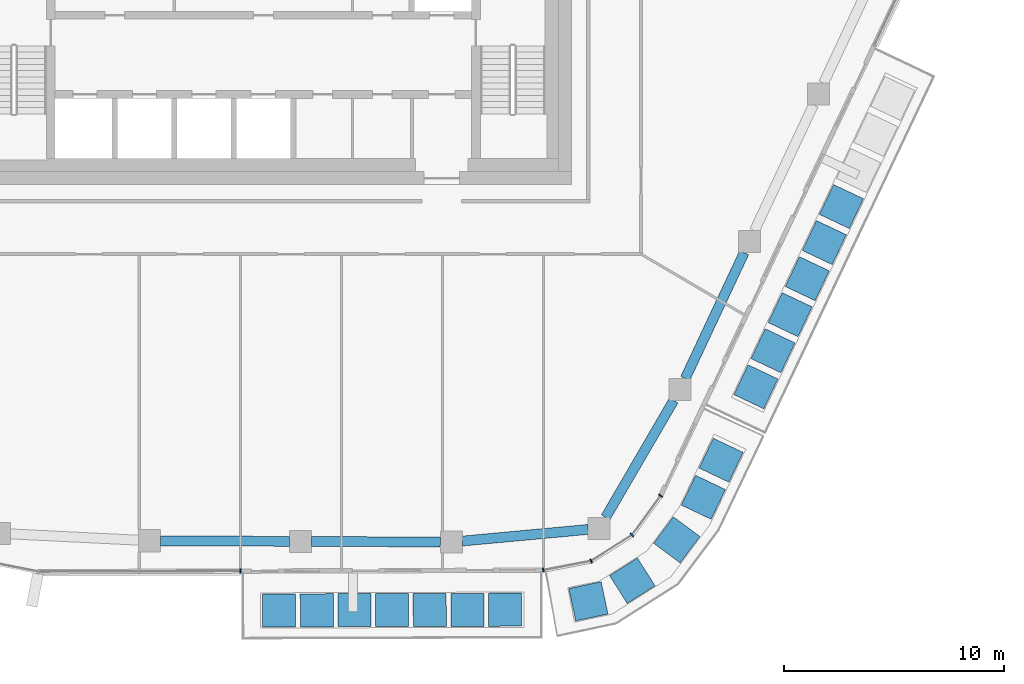
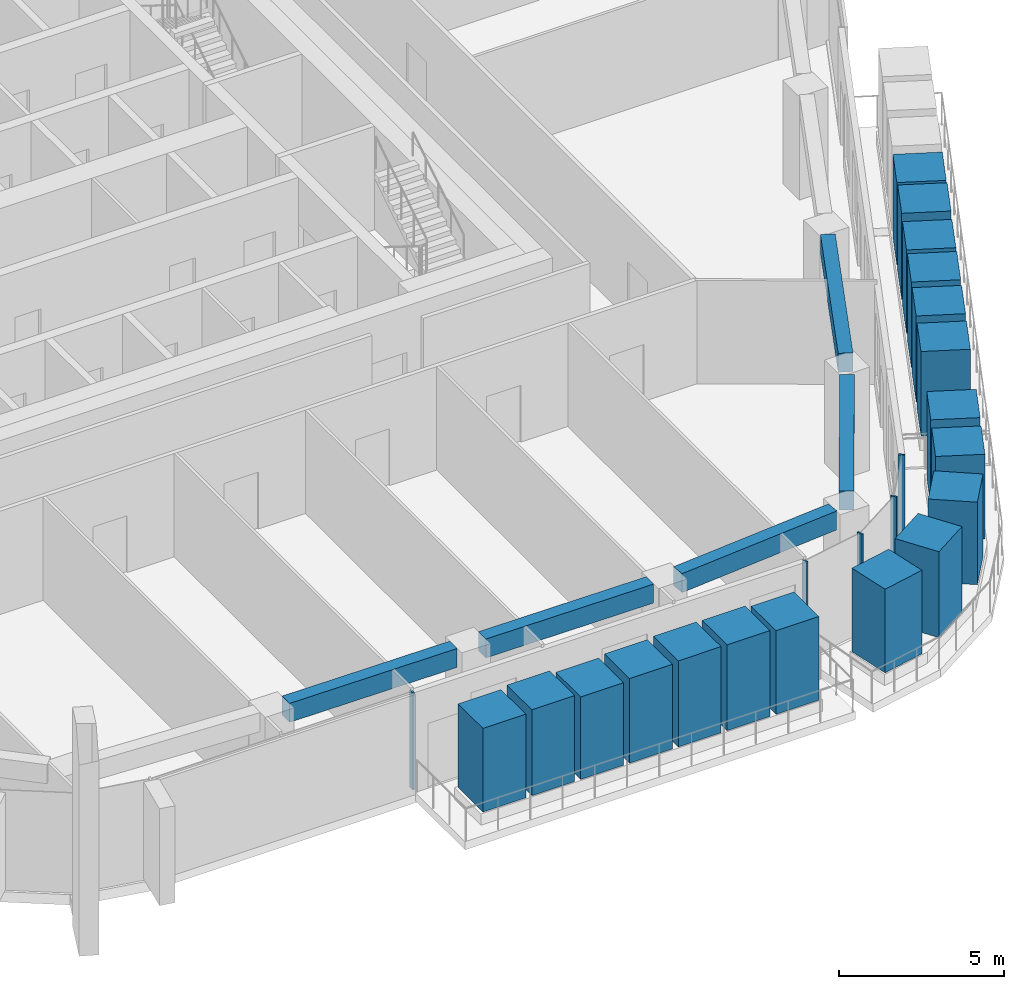
# One storey, part 4 of 24: 23 members, 5 beams, 2 elements without a shape of their own.
"""IFC4 building model written with IfcOpenShell, lengths in metres."""

from ifc_helpers import new_model, si_unit, direction, frame, origin, origin_2d, place, context, subcontext, project, spatial, rectangle, extrude, material, layer, layer_set, material_profile, profile_set, type_object, element, aggregate, save


model = new_model("IFC4")

# Units and contexts
model_context = context("Model", 3, precision=1e-05, world=origin(), true_north=direction((0.0, 1.0)))
body_context = subcontext(model_context, "Body", "Model", "MODEL_VIEW")
ifc_project = project(units=[si_unit("LENGTHUNIT", "METRE"), si_unit("AREAUNIT", "SQUARE_METRE"), si_unit("VOLUMEUNIT", "CUBIC_METRE"), si_unit("PLANEANGLEUNIT", "RADIAN"), si_unit("MASSUNIT", "GRAM", prefix="KILO")], contexts=[model_context])

# Site, building, storey
site_placement = place(None, origin())
site = spatial("IfcSite", under=ifc_project, at=site_placement, CompositionType="ELEMENT")
building_placement = place(site_placement, origin())
building = spatial("IfcBuilding", under=site, at=building_placement, Name="Dongbaek Canopy Tower", CompositionType="ELEMENT")
storey_placement = place(building_placement, frame((0.0, 0.0, 344.60009765625)))
storey = spatial("IfcBuildingStorey", under=building, at=storey_placement, Name="L74", CompositionType="ELEMENT", Elevation=344.60009765625)

# Curtain wall, member
ifc_material_1 = material(Name="Aluminium 6063-T6 pale anodised", Category="aluminium")
ifc_layer = layer(ifc_material_1, 0.199951171875)
ifc_layer_set = layer_set([ifc_layer], Name="CW-1 unitised tower curtain wall")
curtain_wall_type = type_object("IfcCurtainWallType", Name="CW-1 unitised tower curtain wall", PredefinedType="NOTDEFINED", material=ifc_layer_set)
curtain_wall_1_placement = place(storey_placement, origin())
curtain_wall_1 = element("IfcCurtainWall", 1, at=curtain_wall_1_placement, inside=storey, type_object=curtain_wall_type, Name="CW-1 curtain wall F4.1", PredefinedType="NOTDEFINED")
ifc_material_2 = material(Name="Aluminium 6063-T6 pale anodised", Category="aluminium")
ifc_material_profile_1 = material_profile(ifc_material_2, rectangle(XDim=0.199951171875, YDim=0.06005859375, at=origin_2d()), Name="CW-1 mullion 60 x 200")
ifc_profile_set_1 = profile_set([ifc_material_profile_1], Name="Aluminium 6063-T6 pale anodised")
member_type_1 = type_object("IfcMemberType", Name="CW-1 mullion 60 x 200", PredefinedType="MULLION", material=ifc_profile_set_1)
member_1_placement = place(storey_placement, frame((-1.04248046875, -28.545654296875, 0.119873046875), z_axis=(0.0, 0.0, 1.0), x_axis=(0.003065600754, -0.999995301035, 0.0)))
member_1 = element("IfcMember", 2, at=member_1_placement, type_object=member_type_1, Name="CW-1 mullion F4.1.3", PredefinedType="MULLION", context=body_context, shape_type="SweptSolid", body=[
    extrude(rectangle(XDim=0.199951171875, YDim=0.06005859375, at=origin_2d()), origin(), (0.0, 0.0, 1.0), 3.580078125),
])
aggregate(curtain_wall_1, [member_1])

# Curtain wall, members
curtain_wall_2_placement = place(storey_placement, origin())
curtain_wall_2 = element("IfcCurtainWall", 3, at=curtain_wall_2_placement, inside=storey, type_object=curtain_wall_type, Name="CW-1 curtain wall K5.1", PredefinedType="NOTDEFINED")
member_2_placement = place(storey_placement, frame((12.7158203125, -28.50341796875, 0.0), z_axis=(0.0, 0.0, 1.0), x_axis=(0.189393736027, -0.981901223522, 0.0)))
member_2 = element("IfcMember", 4, at=member_2_placement, type_object=member_type_1, Name="CW-1 mullion K5.1.1", PredefinedType="MULLION", context=body_context, shape_type="SweptSolid", body=[
    extrude(rectangle(XDim=0.199951171875, YDim=0.06005859375, at=origin_2d()), origin(), (0.0, 0.0, 1.0), 3.699951171875),
])
member_3_placement = place(storey_placement, frame((14.884033203125, -28.085205078125, 0.0), z_axis=(0.0, 0.0, 1.0), x_axis=(0.369084459953, -0.929395858298, 0.0)))
member_3 = element("IfcMember", 5, at=member_3_placement, type_object=member_type_1, Name="CW-1 mullion K5.1.2", PredefinedType="MULLION", context=body_context, shape_type="SweptSolid", body=[
    extrude(rectangle(XDim=0.199951171875, YDim=0.06005859375, at=origin_2d()), origin(), (0.0, 0.0, 1.0), 3.699951171875),
])
member_4_placement = place(storey_placement, frame((16.740234375, -26.906982421875, 0.0), z_axis=(0.0, 0.0, 1.0), x_axis=(0.683817525152, -0.729653062966, 0.0)))
member_4 = element("IfcMember", 6, at=member_4_placement, type_object=member_type_1, Name="CW-1 mullion K5.1.3", PredefinedType="MULLION", context=body_context, shape_type="SweptSolid", body=[
    extrude(rectangle(XDim=0.199951171875, YDim=0.06005859375, at=origin_2d()), origin(), (0.0, 0.0, 1.0), 3.699951171875),
])
member_5_placement = place(storey_placement, frame((18.0419921875, -25.123291015625, 0.0), z_axis=(0.0, 0.0, 1.0), x_axis=(0.80782986686, -0.589415732916, 0.0)))
member_5 = element("IfcMember", 7, at=member_5_placement, type_object=member_type_1, Name="CW-1 mullion K5.1.4", PredefinedType="MULLION", context=body_context, shape_type="SweptSolid", body=[
    extrude(rectangle(XDim=0.199951171875, YDim=0.06005859375, at=origin_2d()), origin(), (0.0, 0.0, 1.0), 3.699951171875),
])
aggregate(curtain_wall_2, [member_2, member_3, member_4, member_5])

# Beams
ifc_material_3 = material(Name="Concrete C60", Category="concrete")
ifc_material_profile_2 = material_profile(ifc_material_3, rectangle(XDim=0.449951171875, YDim=0.699951171875, at=origin_2d()), Name="RC EDGE BEAM 450x700 C60")
ifc_profile_set_2 = profile_set([ifc_material_profile_2], Name="Concrete C60")
beam_type = type_object("IfcBeamType", Name="RC EDGE BEAM 450x700 C60", PredefinedType="BEAM", material=ifc_profile_set_2)
beam_1_placement = place(storey_placement, frame((14.751953125, -26.653076171875, 3.469970703125), z_axis=(-0.995766439544, -0.091919518479, 0.0), x_axis=(0.091919518479, -0.995766439544, 0.0)))
element("IfcBeam", 8, at=beam_1_placement, inside=storey, type_object=beam_type, Name="EDGEBEAM:L74:00", PredefinedType="BEAM", context=body_context, shape_type="SweptSolid", body=[
    extrude(rectangle(XDim=0.449951171875, YDim=0.699951171875, at=origin_2d()), origin(), (0.0, 0.0, 1.0), 5.742431640625),
])
beam_2_placement = place(storey_placement, frame((8.033935546875, -27.224853515625, 3.469970703125), z_axis=(-0.999990401851, 0.004381347473, 0.0), x_axis=(-0.004381347473, -0.999990401851, 0.0)))
element("IfcBeam", 9, at=beam_2_placement, inside=storey, type_object=beam_type, Name="EDGEBEAM:L74:01", PredefinedType="BEAM", context=body_context, shape_type="SweptSolid", body=[
    extrude(rectangle(XDim=0.449951171875, YDim=0.699951171875, at=origin_2d()), origin(), (0.0, 0.0, 1.0), 5.850830078125),
])
beam_3_placement = place(storey_placement, frame((1.18310546875, -27.19482421875, 3.469970703125), z_axis=(-0.999990396242, 0.004382627582, 0.0), x_axis=(-0.004382627582, -0.999990396242, 0.0)))
element("IfcBeam", 10, at=beam_3_placement, inside=storey, type_object=beam_type, Name="EDGEBEAM:L74:02", PredefinedType="BEAM", context=body_context, shape_type="SweptSolid", body=[
    extrude(rectangle(XDim=0.449951171875, YDim=0.699951171875, at=origin_2d()), origin(), (0.0, 0.0, 1.0), 5.84912109375),
])
beam_4_placement = place(storey_placement, frame((21.833740234375, -14.087890625, 3.469970703125), z_axis=(-0.424294949226, -0.905524044993, 0.0), x_axis=(0.905524044993, -0.424294949226, 0.0)))
element("IfcBeam", 11, at=beam_4_placement, inside=storey, type_object=beam_type, Name="EDGEBEAM:L74:24", PredefinedType="BEAM", context=body_context, shape_type="SweptSolid", body=[
    extrude(rectangle(XDim=0.449951171875, YDim=0.699951171875, at=origin_2d()), origin(), (0.0, 0.0, 1.0), 6.303466796875),
])
beam_5_placement = place(storey_placement, frame((18.634033203125, -20.7958984375, 3.469970703125), z_axis=(-0.503016078482, -0.864277053258, 0.0), x_axis=(0.864277053258, -0.503016078482, 0.0)))
element("IfcBeam", 12, at=beam_5_placement, inside=storey, type_object=beam_type, Name="EDGEBEAM:L74:25", PredefinedType="BEAM", context=body_context, shape_type="SweptSolid", body=[
    extrude(rectangle(XDim=0.449951171875, YDim=0.699951171875, at=origin_2d()), origin(), (0.0, 0.0, 1.0), 6.14501953125),
])

# Members
ifc_material_4 = material(Name="Concrete C40/50 planter mass with planting", Category="concrete")
ifc_material_profile_3 = material_profile(ifc_material_4, rectangle(XDim=1.5, YDim=1.5, at=origin_2d()), Name="Terrace PLANTER shrub mass 1500 x 1500")
ifc_profile_set_3 = profile_set([ifc_material_profile_3], Name="Concrete C40/50 planter mass with planting")
member_type_2 = type_object("IfcMemberType", Name="Terrace PLANTER shrub mass 1500 x 1500", PredefinedType="USERDEFINED", material=ifc_profile_set_3)
member_6_placement = place(storey_placement, frame((0.7177734375, -30.330322265625, 0.419921875), z_axis=(0.0, 0.0, 1.0), x_axis=(0.003065600754, -0.999995301035, 0.0)))
element("IfcMember", 13, at=member_6_placement, inside=storey, type_object=member_type_2, Name="Planter shrubs L74 4.1", ObjectType="PLANTER", PredefinedType="USERDEFINED", context=body_context, shape_type="SweptSolid", body=[
    extrude(rectangle(XDim=1.5, YDim=1.5, at=origin_2d()), origin(), (0.0, 0.0, 1.0), 3.090087890625),
])
member_7_placement = place(storey_placement, frame((2.427490234375, -30.324951171875, 0.419921875), z_axis=(0.0, 0.0, 1.0), x_axis=(0.003065600754, -0.999995301035, 0.0)))
element("IfcMember", 14, at=member_7_placement, inside=storey, type_object=member_type_2, Name="Planter shrubs L74 4.2", ObjectType="PLANTER", PredefinedType="USERDEFINED", context=body_context, shape_type="SweptSolid", body=[
    extrude(rectangle(XDim=1.5, YDim=1.5, at=origin_2d()), origin(), (0.0, 0.0, 1.0), 3.179931640625),
])
member_8_placement = place(storey_placement, frame((4.13720703125, -30.31982421875, 0.419921875), z_axis=(0.0, 0.0, 1.0), x_axis=(0.003065600754, -0.999995301035, 0.0)))
element("IfcMember", 15, at=member_8_placement, inside=storey, type_object=member_type_2, Name="Planter shrubs L74 4.3", ObjectType="PLANTER", PredefinedType="USERDEFINED", context=body_context, shape_type="SweptSolid", body=[
    extrude(rectangle(XDim=1.5, YDim=1.5, at=origin_2d()), origin(), (0.0, 0.0, 1.0), 3.050048828125),
])
member_9_placement = place(storey_placement, frame((5.8466796875, -30.314453125, 0.419921875), z_axis=(0.0, 0.0, 1.0), x_axis=(0.003065600754, -0.999995301035, 0.0)))
element("IfcMember", 16, at=member_9_placement, inside=storey, type_object=member_type_2, Name="Planter shrubs L74 4.4", ObjectType="PLANTER", PredefinedType="USERDEFINED", context=body_context, shape_type="SweptSolid", body=[
    extrude(rectangle(XDim=1.5, YDim=1.5, at=origin_2d()), origin(), (0.0, 0.0, 1.0), 3.1298828125),
])
member_10_placement = place(storey_placement, frame((7.556396484375, -30.309326171875, 0.419921875), z_axis=(0.0, 0.0, 1.0), x_axis=(0.003065600754, -0.999995301035, 0.0)))
element("IfcMember", 17, at=member_10_placement, inside=storey, type_object=member_type_2, Name="Planter shrubs L74 4.5", ObjectType="PLANTER", PredefinedType="USERDEFINED", context=body_context, shape_type="SweptSolid", body=[
    extrude(rectangle(XDim=1.5, YDim=1.5, at=origin_2d()), origin(), (0.0, 0.0, 1.0), 3.179931640625),
])
member_11_placement = place(storey_placement, frame((9.26611328125, -30.303955078125, 0.419921875), z_axis=(0.0, 0.0, 1.0), x_axis=(0.003065600754, -0.999995301035, 0.0)))
element("IfcMember", 18, at=member_11_placement, inside=storey, type_object=member_type_2, Name="Planter shrubs L74 4.6", ObjectType="PLANTER", PredefinedType="USERDEFINED", context=body_context, shape_type="SweptSolid", body=[
    extrude(rectangle(XDim=1.5, YDim=1.5, at=origin_2d()), origin(), (0.0, 0.0, 1.0), 3.169921875),
])
member_12_placement = place(storey_placement, frame((10.975830078125, -30.298828125, 0.419921875), z_axis=(0.0, 0.0, 1.0), x_axis=(0.003065600754, -0.999995301035, 0.0)))
element("IfcMember", 19, at=member_12_placement, inside=storey, type_object=member_type_2, Name="Planter shrubs L74 4.7", ObjectType="PLANTER", PredefinedType="USERDEFINED", context=body_context, shape_type="SweptSolid", body=[
    extrude(rectangle(XDim=1.5, YDim=1.5, at=origin_2d()), origin(), (0.0, 0.0, 1.0), 3.090087890625),
])
member_13_placement = place(storey_placement, frame((22.368896484375, -20.177001953125, 0.419921875), z_axis=(0.0, 0.0, 1.0), x_axis=(0.903531350723, -0.428521992738, 0.0)))
element("IfcMember", 20, at=member_13_placement, inside=storey, type_object=member_type_2, Name="Planter shrubs L74 5.1", ObjectType="PLANTER", PredefinedType="USERDEFINED", context=body_context, shape_type="SweptSolid", body=[
    extrude(rectangle(XDim=1.5, YDim=1.5, at=origin_2d()), origin(), (0.0, 0.0, 1.0), 3.1298828125),
])
member_14_placement = place(storey_placement, frame((23.145263671875, -18.5400390625, 0.419921875), z_axis=(0.0, 0.0, 1.0), x_axis=(0.903531350723, -0.428521992738, 0.0)))
element("IfcMember", 21, at=member_14_placement, inside=storey, type_object=member_type_2, Name="Planter shrubs L74 5.2", ObjectType="PLANTER", PredefinedType="USERDEFINED", context=body_context, shape_type="SweptSolid", body=[
    extrude(rectangle(XDim=1.5, YDim=1.5, at=origin_2d()), origin(), (0.0, 0.0, 1.0), 3.179931640625),
])
member_15_placement = place(storey_placement, frame((23.921630859375, -16.90283203125, 0.419921875), z_axis=(0.0, 0.0, 1.0), x_axis=(0.903531350723, -0.428521992738, 0.0)))
element("IfcMember", 22, at=member_15_placement, inside=storey, type_object=member_type_2, Name="Planter shrubs L74 5.3", ObjectType="PLANTER", PredefinedType="USERDEFINED", context=body_context, shape_type="SweptSolid", body=[
    extrude(rectangle(XDim=1.5, YDim=1.5, at=origin_2d()), origin(), (0.0, 0.0, 1.0), 3.169921875),
])
member_16_placement = place(storey_placement, frame((24.6982421875, -15.265869140625, 0.419921875), z_axis=(0.0, 0.0, 1.0), x_axis=(0.903531350723, -0.428521992738, 0.0)))
element("IfcMember", 23, at=member_16_placement, inside=storey, type_object=member_type_2, Name="Planter shrubs L74 5.4", ObjectType="PLANTER", PredefinedType="USERDEFINED", context=body_context, shape_type="SweptSolid", body=[
    extrude(rectangle(XDim=1.5, YDim=1.5, at=origin_2d()), origin(), (0.0, 0.0, 1.0), 3.090087890625),
])
member_17_placement = place(storey_placement, frame((25.474609375, -13.628662109375, 0.419921875), z_axis=(0.0, 0.0, 1.0), x_axis=(0.903531350723, -0.428521992738, 0.0)))
element("IfcMember", 24, at=member_17_placement, inside=storey, type_object=member_type_2, Name="Planter shrubs L74 5.5", ObjectType="PLANTER", PredefinedType="USERDEFINED", context=body_context, shape_type="SweptSolid", body=[
    extrude(rectangle(XDim=1.5, YDim=1.5, at=origin_2d()), origin(), (0.0, 0.0, 1.0), 3.179931640625),
])
member_18_placement = place(storey_placement, frame((26.2509765625, -11.99169921875, 0.419921875), z_axis=(0.0, 0.0, 1.0), x_axis=(0.903531350723, -0.428521992738, 0.0)))
element("IfcMember", 25, at=member_18_placement, inside=storey, type_object=member_type_2, Name="Planter shrubs L74 5.6", ObjectType="PLANTER", PredefinedType="USERDEFINED", context=body_context, shape_type="SweptSolid", body=[
    extrude(rectangle(XDim=1.5, YDim=1.5, at=origin_2d()), origin(), (0.0, 0.0, 1.0), 3.050048828125),
])
member_19_placement = place(storey_placement, frame((14.76171875, -29.916748046875, 0.419921875), z_axis=(0.0, 0.0, 1.0), x_axis=(0.207513803647, -0.978232089688, 0.0)))
element("IfcMember", 26, at=member_19_placement, inside=storey, type_object=member_type_2, Name="Planter shrubs L74 8.1", ObjectType="PLANTER", PredefinedType="USERDEFINED", context=body_context, shape_type="SweptSolid", body=[
    extrude(rectangle(XDim=1.5, YDim=1.5, at=origin_2d()), origin(), (0.0, 0.0, 1.0), 3.090087890625),
])
member_20_placement = place(storey_placement, frame((16.75537109375, -28.982421875, 0.419921875), z_axis=(0.0, 0.0, 1.0), x_axis=(0.535840408733, -0.844319285797, 0.0)))
element("IfcMember", 27, at=member_20_placement, inside=storey, type_object=member_type_2, Name="Planter shrubs L74 8.2", ObjectType="PLANTER", PredefinedType="USERDEFINED", context=body_context, shape_type="SweptSolid", body=[
    extrude(rectangle(XDim=1.5, YDim=1.5, at=origin_2d()), origin(), (0.0, 0.0, 1.0), 3.179931640625),
])
member_21_placement = place(storey_placement, frame((18.773193359375, -27.12646484375, 0.419921875), z_axis=(0.0, 0.0, 1.0), x_axis=(0.802975435976, -0.596012121705, 0.0)))
element("IfcMember", 28, at=member_21_placement, inside=storey, type_object=member_type_2, Name="Planter shrubs L74 8.3", ObjectType="PLANTER", PredefinedType="USERDEFINED", context=body_context, shape_type="SweptSolid", body=[
    extrude(rectangle(XDim=1.5, YDim=1.5, at=origin_2d()), origin(), (0.0, 0.0, 1.0), 3.050048828125),
])
member_22_placement = place(storey_placement, frame((19.982421875, -25.19580078125, 0.419921875), z_axis=(0.0, 0.0, 1.0), x_axis=(0.902678275994, -0.43031608156, 0.0)))
element("IfcMember", 29, at=member_22_placement, inside=storey, type_object=member_type_2, Name="Planter shrubs L74 8.4", ObjectType="PLANTER", PredefinedType="USERDEFINED", context=body_context, shape_type="SweptSolid", body=[
    extrude(rectangle(XDim=1.5, YDim=1.5, at=origin_2d()), origin(), (0.0, 0.0, 1.0), 3.1298828125),
])
member_23_placement = place(storey_placement, frame((20.7861328125, -23.510009765625, 0.419921875), z_axis=(0.0, 0.0, 1.0), x_axis=(0.902678275994, -0.43031608156, 0.0)))
element("IfcMember", 30, at=member_23_placement, inside=storey, type_object=member_type_2, Name="Planter shrubs L74 8.5", ObjectType="PLANTER", PredefinedType="USERDEFINED", context=body_context, shape_type="SweptSolid", body=[
    extrude(rectangle(XDim=1.5, YDim=1.5, at=origin_2d()), origin(), (0.0, 0.0, 1.0), 3.179931640625),
])

save(model, "model.ifc")
